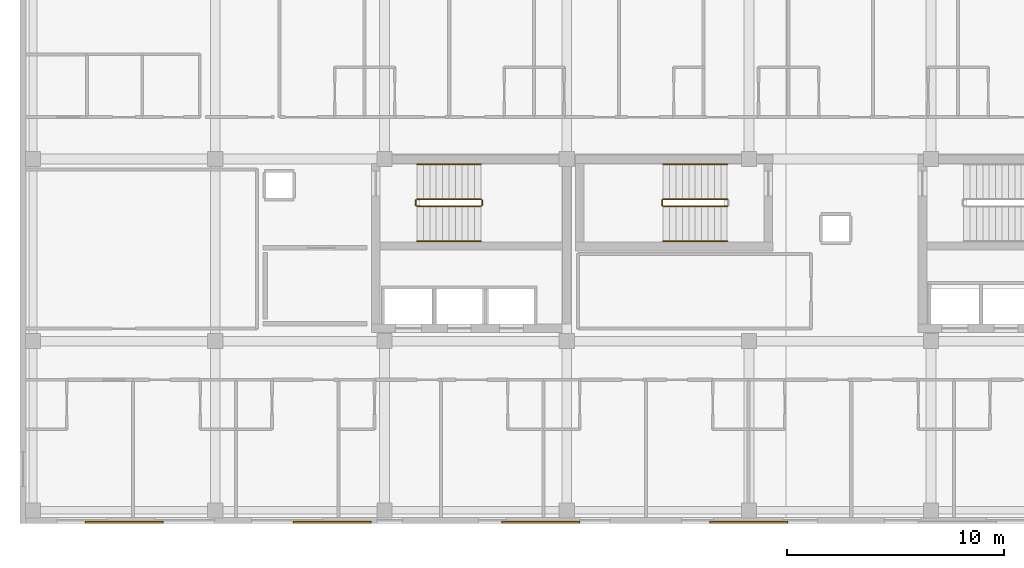
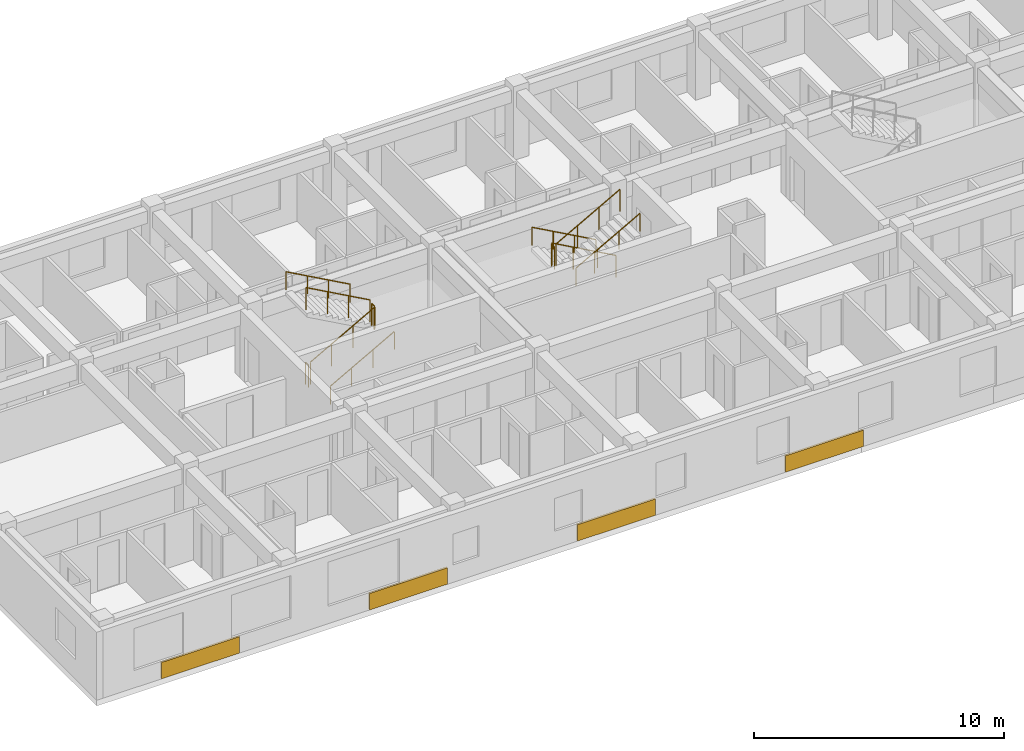
# One storey, part 10 of 11: 11 railings, 4 coverings.
"""IFC4 building model written with IfcOpenShell, lengths in metres."""

from ifc_helpers import new_model, si_unit, direction, frame, origin, origin_2d, place, context, subcontext, project, spatial, rectangle, circle, extrude, material, layer, layer_set, type_object, element, save


model = new_model("IFC4")

# Units and contexts
model_context = context("Model", 3, precision=1e-05, world=origin(), true_north=direction((0.0, 1.0)))
body_context = subcontext(model_context, "Body", "Model", "MODEL_VIEW")
ifc_project = project(units=[si_unit("LENGTHUNIT", "METRE"), si_unit("AREAUNIT", "SQUARE_METRE"), si_unit("VOLUMEUNIT", "CUBIC_METRE"), si_unit("PLANEANGLEUNIT", "RADIAN"), si_unit("MASSUNIT", "GRAM", prefix="KILO")], contexts=[model_context])

# Site, building, storey
site_placement = place(None, origin())
site = spatial("IfcSite", under=ifc_project, at=site_placement, CompositionType="ELEMENT")
building_placement = place(site_placement, origin())
building = spatial("IfcBuilding", under=site, at=building_placement, Name="Zayran Congress Hotel", CompositionType="ELEMENT")
storey_placement = place(building_placement, frame((0.0, 0.0, 26.39990234375)))
storey = spatial("IfcBuildingStorey", under=building, at=storey_placement, Name="L06", CompositionType="ELEMENT", Elevation=26.39990234375)

# Coverings
ifc_material_1 = material(Name="Ochre geometric bas-relief Hajar Ma'ani stone", Category="masonry")
ifc_layer = layer(ifc_material_1, 0.090087890625)
ifc_layer_set = layer_set([ifc_layer], Name="Ochre geometric bas-relief Hajar Ma'ani stone")
covering_type = type_object("IfcCoveringType", Name="TP-CLD-01", PredefinedType="CLADDING", material=ifc_layer_set)
for number, where, z_axis, x_axis, name in (
    (1, (13.199951171875, 8.844970703125, 0.0), (0.0, 0.0, 1.0), (1.0, 0.0, 0.0), "CLD-V5S-L06-0"),
    (2, (22.800048828125, 8.844970703125, 0.0), (0.0, 0.0, 1.0), (1.0, 0.0, 0.0), "CLD-V5S-L06-1"),
    (3, (32.39990234375, 8.844970703125, 0.0), (0.0, 0.0, 1.0), (1.0, 0.0, 0.0), "CLD-V5S-L06-2"),
    (4, (42.0, 8.844970703125, 0.0), (0.0, 0.0, 1.0), (1.0, 0.0, 0.0), "CLD-V5S-L06-3"),
):
    element("IfcCovering", number, at=place(storey_placement, frame(where, z_axis=z_axis, x_axis=x_axis)), inside=storey, type_object=covering_type, Name=name, PredefinedType="CLADDING", context=body_context, shape_type="SweptSolid", body=[
        extrude(rectangle(XDim=3.60009765625, YDim=0.090087890625, at=origin_2d()), origin(), (0.0, 0.0, 1.0), 0.800048828125),
    ])

# Railings
ifc_material_2 = material(Name="Painted steel balustrade", Category="steel")
railing_type_1 = type_object("IfcRailingType", Name="TP-GRD-INT", PredefinedType="GUARDRAIL", material=ifc_material_2)
railing_1_placement = place(storey_placement, frame((26.699951171875, 23.409912109375, 0.163818359375)))
element("IfcRailing", 5, at=railing_1_placement, inside=storey, type_object=railing_type_1, Name="L06 ST-01 stair guard 1", PredefinedType="GUARDRAIL", context=body_context, shape_type="SweptSolid", body=[
    extrude(circle(Radius=0.02392578125, at=origin_2d()), frame((0.0, 0.0, 1.076171875), z_axis=(0.87448821551, 0.0, 0.485046761595), x_axis=(0.0, 1.0, 0.0)), (0.0, 0.0, 1.0), 3.373291015625),
    extrude(circle(Radius=0.02099609375, at=origin_2d()), origin(), (0.0, 0.0, 1.0), 1.052001953125),
    extrude(circle(Radius=0.02099609375, at=origin_2d()), frame((0.9833984375, 0.0, 0.54541015625)), (0.0, 0.0, 1.0), 1.052001953125),
    extrude(circle(Radius=0.02099609375, at=origin_2d()), frame((1.966552734375, 0.0, 1.0908203125)), (0.0, 0.0, 1.0), 1.052001953125),
    extrude(circle(Radius=0.02099609375, at=origin_2d()), frame((2.949951171875, 0.0, 1.63623046875)), (0.0, 0.0, 1.0), 1.052001953125),
])
railing_2_placement = place(storey_placement, frame((29.699951171875, 23.4599609375, 1.800048828125)))
element("IfcRailing", 6, at=railing_2_placement, inside=storey, type_object=railing_type_1, Name="L06 ST-01 stair guard 2", PredefinedType="GUARDRAIL", context=body_context, shape_type="SweptSolid", body=[
    extrude(circle(Radius=0.02392578125, at=origin_2d()), frame((0.0, 0.0, 1.076171875), z_axis=(0.0, 1.0, 0.0), x_axis=(-1.0, 0.0, 0.0)), (0.0, 0.0, 1.0), 0.239990234375),
    extrude(circle(Radius=0.02099609375, at=origin_2d()), origin(), (0.0, 0.0, 1.0), 1.052001953125),
    extrude(circle(Radius=0.02099609375, at=origin_2d()), frame((0.0, 0.239990234375, 0.0)), (0.0, 0.0, 1.0), 1.052001953125),
])
railing_3_placement = place(storey_placement, frame((29.64990234375, 23.75, 1.963623046875)))
element("IfcRailing", 7, at=railing_3_placement, inside=storey, type_object=railing_type_1, Name="L06 ST-01 stair guard 3", PredefinedType="GUARDRAIL", context=body_context, shape_type="SweptSolid", body=[
    extrude(circle(Radius=0.02392578125, at=origin_2d()), frame((0.0, 0.0, 1.076171875), z_axis=(-0.874457516365, 0.0, 0.485102104791), x_axis=(0.0, -1.0, 0.0)), (0.0, 0.0, 1.0), 3.37353515625),
    extrude(circle(Radius=0.02099609375, at=origin_2d()), origin(), (0.0, 0.0, 1.0), 1.052001953125),
    extrude(circle(Radius=0.02099609375, at=origin_2d()), frame((-0.9833984375, 0.0, 0.54541015625)), (0.0, 0.0, 1.0), 1.052001953125),
    extrude(circle(Radius=0.02099609375, at=origin_2d()), frame((-1.966552734375, 0.0, 1.091064453125)), (0.0, 0.0, 1.0), 1.052001953125),
    extrude(circle(Radius=0.02099609375, at=origin_2d()), frame((-2.949951171875, 0.0, 1.636474609375)), (0.0, 0.0, 1.0), 1.052001953125),
])
railing_4_placement = place(storey_placement, frame((26.64990234375, 23.4599609375, 0.0)))
element("IfcRailing", 8, at=railing_4_placement, inside=storey, type_object=railing_type_1, Name="L06 ST-01 stair guard 4", PredefinedType="GUARDRAIL", context=body_context, shape_type="SweptSolid", body=[
    extrude(circle(Radius=0.02392578125, at=origin_2d()), frame((0.0, 0.0, 1.076171875), z_axis=(0.0, 1.0, 0.0), x_axis=(-1.0, 0.0, 0.0)), (0.0, 0.0, 1.0), 0.239990234375),
    extrude(circle(Radius=0.02099609375, at=origin_2d()), origin(), (0.0, 0.0, 1.0), 1.052001953125),
    extrude(circle(Radius=0.02099609375, at=origin_2d()), frame((0.0, 0.239990234375, 0.0)), (0.0, 0.0, 1.0), 1.052001953125),
])
railing_5_placement = place(storey_placement, frame((41.0, 23.75, 0.163818359375)))
element("IfcRailing", 9, at=railing_5_placement, inside=storey, type_object=railing_type_1, Name="L06 ST-13 stair guard 1", PredefinedType="GUARDRAIL", context=body_context, shape_type="SweptSolid", body=[
    extrude(circle(Radius=0.02392578125, at=origin_2d()), frame((0.0, 0.0, 1.076171875), z_axis=(-0.87448821551, 0.0, 0.485046761595), x_axis=(0.0, -1.0, 0.0)), (0.0, 0.0, 1.0), 3.373291015625),
    extrude(circle(Radius=0.02099609375, at=origin_2d()), origin(), (0.0, 0.0, 1.0), 1.052001953125),
    extrude(circle(Radius=0.02099609375, at=origin_2d()), frame((-0.9833984375, 0.0, 0.54541015625)), (0.0, 0.0, 1.0), 1.052001953125),
    extrude(circle(Radius=0.02099609375, at=origin_2d()), frame((-1.966552734375, 0.0, 1.0908203125)), (0.0, 0.0, 1.0), 1.052001953125),
    extrude(circle(Radius=0.02099609375, at=origin_2d()), frame((-2.949951171875, 0.0, 1.63623046875)), (0.0, 0.0, 1.0), 1.052001953125),
])
railing_6_placement = place(storey_placement, frame((38.0, 23.699951171875, 1.800048828125)))
element("IfcRailing", 10, at=railing_6_placement, inside=storey, type_object=railing_type_1, Name="L06 ST-13 stair guard 2", PredefinedType="GUARDRAIL", context=body_context, shape_type="SweptSolid", body=[
    extrude(circle(Radius=0.02392578125, at=origin_2d()), frame((0.0, 0.0, 1.076171875), z_axis=(0.0, -1.0, 0.0), x_axis=(1.0, 0.0, 0.0)), (0.0, 0.0, 1.0), 0.239990234375),
    extrude(circle(Radius=0.02099609375, at=origin_2d()), origin(), (0.0, 0.0, 1.0), 1.052001953125),
    extrude(circle(Radius=0.02099609375, at=origin_2d()), frame((0.0, -0.239990234375, 0.0)), (0.0, 0.0, 1.0), 1.052001953125),
])
railing_7_placement = place(storey_placement, frame((38.050048828125, 23.409912109375, 1.963623046875)))
element("IfcRailing", 11, at=railing_7_placement, inside=storey, type_object=railing_type_1, Name="L06 ST-13 stair guard 3", PredefinedType="GUARDRAIL", context=body_context, shape_type="SweptSolid", body=[
    extrude(circle(Radius=0.02392578125, at=origin_2d()), frame((0.0, 0.0, 1.076171875), z_axis=(0.874457516365, 0.0, 0.485102104791), x_axis=(0.0, 1.0, 0.0)), (0.0, 0.0, 1.0), 3.37353515625),
    extrude(circle(Radius=0.02099609375, at=origin_2d()), origin(), (0.0, 0.0, 1.0), 1.052001953125),
    extrude(circle(Radius=0.02099609375, at=origin_2d()), frame((0.9833984375, 0.0, 0.54541015625)), (0.0, 0.0, 1.0), 1.052001953125),
    extrude(circle(Radius=0.02099609375, at=origin_2d()), frame((1.966552734375, 0.0, 1.091064453125)), (0.0, 0.0, 1.0), 1.052001953125),
    extrude(circle(Radius=0.02099609375, at=origin_2d()), frame((2.949951171875, 0.0, 1.636474609375)), (0.0, 0.0, 1.0), 1.052001953125),
])
ifc_material_3 = material(Name="Brushed stainless steel handrail", Category="steel")
railing_type_2 = type_object("IfcRailingType", Name="TP-HND-STR", PredefinedType="HANDRAIL", material=ifc_material_3)
railing_8_placement = place(storey_placement, frame((26.699951171875, 21.81005859375, 0.163818359375)))
element("IfcRailing", 12, at=railing_8_placement, inside=storey, type_object=railing_type_2, Name="L06 ST-01 stair handrail 1", PredefinedType="HANDRAIL", context=body_context, shape_type="SweptSolid", body=[
    extrude(circle(Radius=0.02392578125, at=origin_2d()), frame((0.0, 0.0, 0.8759765625), z_axis=(0.87448821551, 0.0, 0.485046761595), x_axis=(0.0, 1.0, 0.0)), (0.0, 0.0, 1.0), 3.373291015625),
    extrude(circle(Radius=0.02099609375, at=origin_2d()), origin(), (0.0, 0.0, 1.0), 0.851806640625),
    extrude(circle(Radius=0.02099609375, at=origin_2d()), frame((0.9833984375, 0.0, 0.54541015625)), (0.0, 0.0, 1.0), 0.851806640625),
    extrude(circle(Radius=0.02099609375, at=origin_2d()), frame((1.966552734375, 0.0, 1.0908203125)), (0.0, 0.0, 1.0), 0.851806640625),
    extrude(circle(Radius=0.02099609375, at=origin_2d()), frame((2.949951171875, 0.0, 1.63623046875)), (0.0, 0.0, 1.0), 0.851806640625),
])
railing_9_placement = place(storey_placement, frame((29.64990234375, 25.35009765625, 1.963623046875)))
element("IfcRailing", 13, at=railing_9_placement, inside=storey, type_object=railing_type_2, Name="L06 ST-01 stair handrail 2", PredefinedType="HANDRAIL", context=body_context, shape_type="SweptSolid", body=[
    extrude(circle(Radius=0.02392578125, at=origin_2d()), frame((0.0, 0.0, 0.8759765625), z_axis=(-0.874457516365, 0.0, 0.485102104791), x_axis=(0.0, -1.0, 0.0)), (0.0, 0.0, 1.0), 3.37353515625),
    extrude(circle(Radius=0.02099609375, at=origin_2d()), origin(), (0.0, 0.0, 1.0), 0.851806640625),
    extrude(circle(Radius=0.02099609375, at=origin_2d()), frame((-0.9833984375, 0.0, 0.54541015625)), (0.0, 0.0, 1.0), 0.851806640625),
    extrude(circle(Radius=0.02099609375, at=origin_2d()), frame((-1.966552734375, 0.0, 1.091064453125)), (0.0, 0.0, 1.0), 0.851806640625),
    extrude(circle(Radius=0.02099609375, at=origin_2d()), frame((-2.949951171875, 0.0, 1.636474609375)), (0.0, 0.0, 1.0), 0.851806640625),
])
railing_10_placement = place(storey_placement, frame((41.0, 25.35009765625, 0.163818359375)))
element("IfcRailing", 14, at=railing_10_placement, inside=storey, type_object=railing_type_2, Name="L06 ST-13 stair handrail 1", PredefinedType="HANDRAIL", context=body_context, shape_type="SweptSolid", body=[
    extrude(circle(Radius=0.02392578125, at=origin_2d()), frame((0.0, 0.0, 0.8759765625), z_axis=(-0.87448821551, 0.0, 0.485046761595), x_axis=(0.0, -1.0, 0.0)), (0.0, 0.0, 1.0), 3.373291015625),
    extrude(circle(Radius=0.02099609375, at=origin_2d()), origin(), (0.0, 0.0, 1.0), 0.851806640625),
    extrude(circle(Radius=0.02099609375, at=origin_2d()), frame((-0.9833984375, 0.0, 0.54541015625)), (0.0, 0.0, 1.0), 0.851806640625),
    extrude(circle(Radius=0.02099609375, at=origin_2d()), frame((-1.966552734375, 0.0, 1.0908203125)), (0.0, 0.0, 1.0), 0.851806640625),
    extrude(circle(Radius=0.02099609375, at=origin_2d()), frame((-2.949951171875, 0.0, 1.63623046875)), (0.0, 0.0, 1.0), 0.851806640625),
])
railing_11_placement = place(storey_placement, frame((38.050048828125, 21.81005859375, 1.963623046875)))
element("IfcRailing", 15, at=railing_11_placement, inside=storey, type_object=railing_type_2, Name="L06 ST-13 stair handrail 2", PredefinedType="HANDRAIL", context=body_context, shape_type="SweptSolid", body=[
    extrude(circle(Radius=0.02392578125, at=origin_2d()), frame((0.0, 0.0, 0.8759765625), z_axis=(0.874457516365, 0.0, 0.485102104791), x_axis=(0.0, 1.0, 0.0)), (0.0, 0.0, 1.0), 3.37353515625),
    extrude(circle(Radius=0.02099609375, at=origin_2d()), origin(), (0.0, 0.0, 1.0), 0.851806640625),
    extrude(circle(Radius=0.02099609375, at=origin_2d()), frame((0.9833984375, 0.0, 0.54541015625)), (0.0, 0.0, 1.0), 0.851806640625),
    extrude(circle(Radius=0.02099609375, at=origin_2d()), frame((1.966552734375, 0.0, 1.091064453125)), (0.0, 0.0, 1.0), 0.851806640625),
    extrude(circle(Radius=0.02099609375, at=origin_2d()), frame((2.949951171875, 0.0, 1.636474609375)), (0.0, 0.0, 1.0), 0.851806640625),
])

save(model, "model.ifc")
